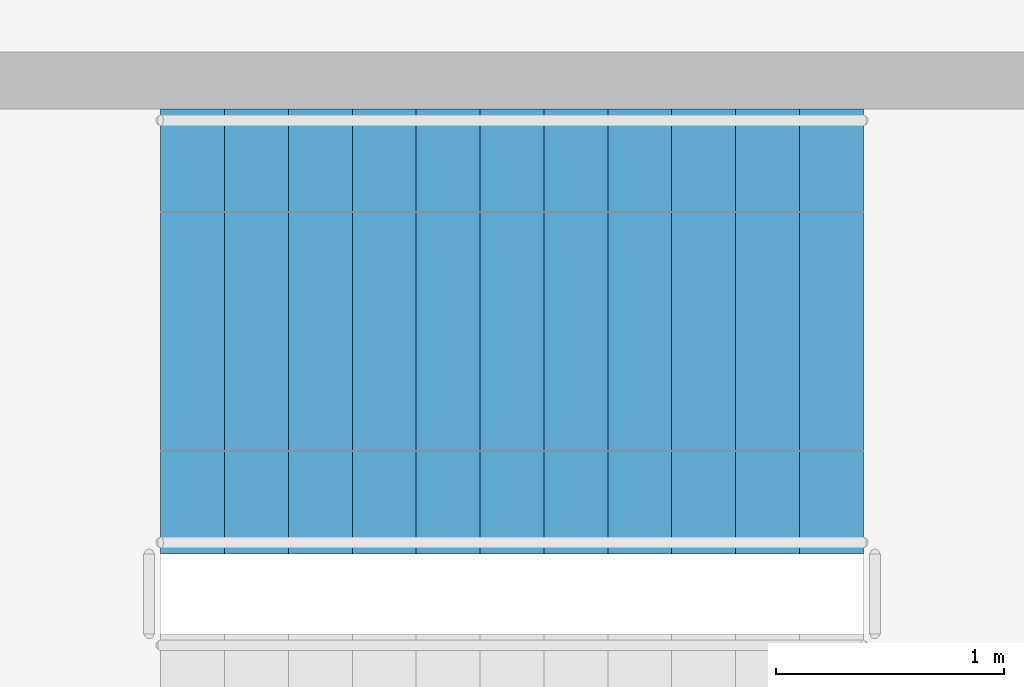
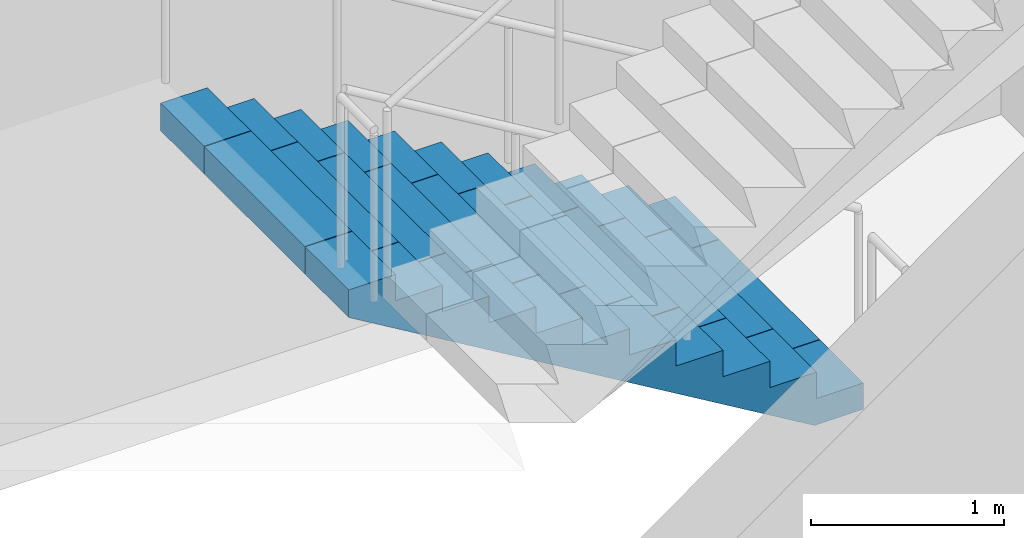
# One storey, part 13 of 15: 1 stair flight, 1 element without a shape of its own.
"""IFC4 building model written with IfcOpenShell, lengths in metres."""

import ifcopenshell
import ifcopenshell.guid

model = None  # the IFC model being written
_history = None  # IfcOwnerHistory: only IFC2X3 demands one
_inside = {}  # id of a spatial element -> (the spatial element, [elements in it])
_under = {}  # id of a project, library or spatial element -> (it, [spatial elements below it])
_declared = {}  # id of a project -> (the project, [libraries it declares])
_typed = {}  # id of a type object -> (the type object, [elements of that type])
_made_of = {}  # id of a material, layer set ... -> (it, [elements and type objects made of it])


def new_model(schema):
    """Start an empty IFC model of exactly this schema.

    Asked for "IFC4X3", IfcOpenShell would pick the latest addendum, in which some entities
    have other attributes; the version numbers below select the first issue.
    IFC2X3 requires an IfcOwnerHistory on every rooted entity: one is made here for all.
    """
    global model, _history
    if schema == "IFC4X3":
        model = ifcopenshell.file(schema_version=(4, 3, 0, 0))
    else:
        model = ifcopenshell.file(schema=schema)
    _inside.clear()
    _under.clear()
    _declared.clear()
    _typed.clear()
    _made_of.clear()
    _history = None
    if model.schema == "IFC2X3":
        org = make("IfcOrganization", Name="unknown")
        user = make(
            "IfcPersonAndOrganization",
            ThePerson=make("IfcPerson", FamilyName="unknown"),
            TheOrganization=org,
        )
        app = make(
            "IfcApplication",
            ApplicationDeveloper=org,
            Version="unknown",
            ApplicationFullName="unknown",
            ApplicationIdentifier="unknown",
        )
        _history = make(
            "IfcOwnerHistory",
            OwningUser=user,
            OwningApplication=app,
            ChangeAction="ADDED",
            CreationDate=0,
        )
    return model


def make(cls, **values):
    """One entity of the class cls with the attributes given. An attribute that is None is left unset."""
    return model.create_entity(
        cls, **{name: value for name, value in values.items() if value is not None}
    )


def rooted(cls, **values):
    """An entity with a GlobalId (a new one), such as an element, a storey or a relation."""
    return make(cls, GlobalId=ifcopenshell.guid.new(), OwnerHistory=_history, **values)


def si_unit(unit_type, name, prefix=None):
    """IfcSIUnit, for example si_unit("LENGTHUNIT", "METRE", prefix="MILLI")."""
    return make("IfcSIUnit", UnitType=unit_type, Prefix=prefix, Name=name)


def assignment(units):
    """IfcUnitAssignment: the units of a project."""
    return None if units is None else make("IfcUnitAssignment", Units=units)


def point(xyz):
    """IfcCartesianPoint."""
    return None if xyz is None else make("IfcCartesianPoint", Coordinates=xyz)


def direction(xyz):
    """IfcDirection."""
    return None if xyz is None else make("IfcDirection", DirectionRatios=xyz)


def frame(location, z_axis=None, x_axis=None):
    """IfcAxis2Placement3D, a coordinate frame: its origin and axes. An axis left out is left unset."""
    return make(
        "IfcAxis2Placement3D",
        Location=point(location),
        Axis=direction(z_axis),
        RefDirection=direction(x_axis),
    )


def origin():
    """The frame at (0, 0, 0) with its axes left unset."""
    return frame((0.0, 0.0, 0.0))


def place(relative_to, where):
    """IfcLocalPlacement: puts the frame where relative to a parent placement (None: the world)."""
    return make(
        "IfcLocalPlacement", PlacementRelTo=relative_to, RelativePlacement=where
    )


def context(
    kind, dimensions, precision=None, world=None, true_north=None, identifier=None
):
    """IfcGeometricRepresentationContext, for example the 3D "Model" context."""
    return make(
        "IfcGeometricRepresentationContext",
        ContextIdentifier=identifier,
        ContextType=kind,
        CoordinateSpaceDimension=dimensions,
        Precision=precision,
        WorldCoordinateSystem=world,
        TrueNorth=true_north,
    )


def subcontext(parent, identifier, kind, view, scale=None):
    """IfcGeometricRepresentationSubContext, for example "Body" below "Model"."""
    return make(
        "IfcGeometricRepresentationSubContext",
        ContextIdentifier=identifier,
        ContextType=kind,
        ParentContext=parent,
        TargetScale=scale,
        TargetView=view,
    )


def project(units=None, contexts=None):
    """IfcProject with its units and contexts."""
    return rooted(
        "IfcProject",
        Name="project",
        RepresentationContexts=contexts,
        UnitsInContext=assignment(units),
    )


def spatial(cls, under=None, at=None, **own):
    """A site, building, storey or space (cls), placed at a placement, below another one or the project."""
    s = rooted(cls, ObjectPlacement=at, **own)
    if under is not None:
        _under.setdefault(under.id(), (under, []))[1].append(s)
    return s


def polyline(points):
    """IfcPolyline through the points."""
    return make("IfcPolyline", Points=[point(p) for p in points])


def outline(outer, holes=None, kind="AREA"):
    """IfcArbitraryClosedProfileDef: a profile drawn as a closed curve; with holes, ...WithVoids."""
    if holes is None:
        return make("IfcArbitraryClosedProfileDef", ProfileType=kind, OuterCurve=outer)
    return make(
        "IfcArbitraryProfileDefWithVoids",
        ProfileType=kind,
        OuterCurve=outer,
        InnerCurves=holes,
    )


def extrude(swept, where, along, depth):
    """IfcExtrudedAreaSolid: the profile swept, set in the frame where, extruded along a direction by depth."""
    return make(
        "IfcExtrudedAreaSolid",
        SweptArea=swept,
        Position=where,
        ExtrudedDirection=direction(along),
        Depth=depth,
    )


def shape(context_of_items, identifier, shape_type, items):
    """IfcShapeRepresentation: the items that make up one representation, for example the "Body"."""
    return make(
        "IfcShapeRepresentation",
        ContextOfItems=context_of_items,
        RepresentationIdentifier=identifier,
        RepresentationType=shape_type,
        Items=items,
    )


def material(Name=None, Category=None):
    """IfcMaterial."""
    return make("IfcMaterial", Name=Name, Category=Category)


def made_of(thing, what):
    """Note that an element or type object is made of a material, layer set ...; save() writes the relation."""
    if what is not None:
        _made_of.setdefault(what.id(), (what, []))[1].append(thing)
    return thing


def type_object(cls, material=None, **own):
    """A type object (cls), such as IfcWallType, which elements share."""
    return made_of(rooted(cls, **own), material)


def element(
    cls,
    number,
    at=None,
    inside=None,
    cuts=None,
    type_object=None,
    material=None,
    context=None,
    identifier="Body",
    shape_type=None,
    held_by="IfcProductDefinitionShape",
    body=None,
    shapes=None,
    **own,
):
    """One element of the class cls, such as IfcWall. Its Tag is "e" and its number.

    at: its placement. inside: the storey or other place that contains it. cuts: it is an
    opening in that element (IfcRelVoidsElement). A single representation is given by context,
    identifier, shape_type and body (its items); several are given by shapes. held_by: the class
    of the entity that holds the representations. save() writes the other relations.
    """
    e = rooted(cls, Tag="e%d" % number, ObjectPlacement=at, **own)
    if body is not None:
        shapes = [shape(context, identifier, shape_type, body)]
    if shapes is not None:
        e.Representation = make(held_by, Representations=shapes)
    if inside is not None:
        _inside.setdefault(inside.id(), (inside, []))[1].append(e)
    if cuts is not None:
        rooted(
            "IfcRelVoidsElement", RelatingBuildingElement=cuts, RelatedOpeningElement=e
        )
    if type_object is not None:
        _typed.setdefault(type_object.id(), (type_object, []))[1].append(e)
    return made_of(e, material)


def aggregate(whole, parts):
    """IfcRelAggregates: a whole, such as a stair, and the parts it consists of."""
    return rooted("IfcRelAggregates", RelatingObject=whole, RelatedObjects=parts)


def save(model, path):
    """Write the relations noted so far, then the file.

    IfcRelAggregates (storeys below a building ...), IfcRelContainedInSpatialStructure (elements
    in a storey), IfcRelDefinesByType, IfcRelAssociatesMaterial and IfcRelDeclares: one each for
    every whole, place, type object, material and project.
    """
    for whole, parts in _under.values():
        aggregate(whole, parts)
    for where, things in _inside.values():
        rooted(
            "IfcRelContainedInSpatialStructure",
            RelatedElements=things,
            RelatingStructure=where,
        )
    for kind, things in _typed.values():
        rooted("IfcRelDefinesByType", RelatedObjects=things, RelatingType=kind)
    for what, things in _made_of.values():
        rooted("IfcRelAssociatesMaterial", RelatedObjects=things, RelatingMaterial=what)
    for by, libraries in _declared.values():
        rooted("IfcRelDeclares", RelatingContext=by, RelatedDefinitions=libraries)
    model.write(path)


model = new_model("IFC4")

# Units and contexts
model_context = context("Model", 3, precision=1e-05, world=origin(), true_north=direction((0.0, 1.0)))
body_context = subcontext(model_context, "Body", "Model", "MODEL_VIEW")
ifc_project = project(units=[si_unit("LENGTHUNIT", "METRE"), si_unit("AREAUNIT", "SQUARE_METRE"), si_unit("VOLUMEUNIT", "CUBIC_METRE"), si_unit("PLANEANGLEUNIT", "RADIAN"), si_unit("MASSUNIT", "GRAM", prefix="KILO")], contexts=[model_context])

# Site, building, storey
site_placement = place(None, origin())
site = spatial("IfcSite", under=ifc_project, at=site_placement, CompositionType="ELEMENT")
building_placement = place(site_placement, origin())
building = spatial("IfcBuilding", under=site, at=building_placement, Name="Corbelhall Arena Tower", CompositionType="ELEMENT")
storey_placement = place(building_placement, frame((0.0, 0.0, 232.0)))
storey = spatial("IfcBuildingStorey", under=building, at=storey_placement, Name="L49", CompositionType="ELEMENT", Elevation=232.0)

# Stair, stair flight
ifc_material = material(Name="Concrete C40/50", Category="concrete")
stair_type = type_object("IfcStairType", Name="IN-ST-TOWER", PredefinedType="HALF_TURN_STAIR", material=ifc_material)
stair_placement = place(storey_placement, origin())
stair = element("IfcStair", 1, at=stair_placement, inside=storey, type_object=stair_type, Name="L49 Exit stair ST3", PredefinedType="HALF_TURN_STAIR")
stair_flight_type = type_object("IfcStairFlightType", Name="IN-SFL-RC", PredefinedType="STRAIGHT", material=ifc_material)
stair_flight_placement = place(storey_placement, frame((11.425048828125, 15.699951171875, 0.0), z_axis=(0.0, 0.0, 1.0), x_axis=(-1.0, 0.0, 0.0)))
stair_flight = element("IfcStairFlight", 2, at=stair_flight_placement, type_object=stair_flight_type, Name="ST3 flight 1", NumberOfRisers=12, NumberOfTreads=11, PredefinedType="STRAIGHT", RiserHeight=0.166666667, TreadLength=0.28, context=body_context, shape_type="SweptSolid", body=[
    extrude(outline(polyline([(0.0, 0.0), (0.0, 0.166748046875), (0.280029296875, 0.166748046875), (0.280029296875, 0.333251953125), (0.56005859375, 0.333251953125), (0.56005859375, 0.5), (0.840087890625, 0.5), (0.840087890625, 0.666748046875), (1.1201171875, 0.666748046875), (1.1201171875, 0.833251953125), (1.39990234375, 0.833251953125), (1.39990234375, 1.0), (1.679931640625, 1.0), (1.679931640625, 1.166748046875), (1.9599609375, 1.166748046875), (1.9599609375, 1.333251953125), (2.239990234375, 1.333251953125), (2.239990234375, 1.5), (2.52001953125, 1.5), (2.52001953125, 1.666748046875), (2.800048828125, 1.666748046875), (2.800048828125, 1.833251953125), (3.080078125, 1.833251953125), (3.080078125, 2.0), (3.080078125, 1.658935546875), (0.29296875, 0.0), (0.0, 0.0)])), frame((0.0, 0.97509765625, 0.0), z_axis=(0.0, -1.0, 0.0), x_axis=(1.0, 0.0, 0.0)), (0.0, 0.0, 1.0), 0.449951171875),
    extrude(outline(polyline([(0.0, 0.0), (0.0, 0.166748046875), (0.280029296875, 0.166748046875), (0.280029296875, 0.333251953125), (0.56005859375, 0.333251953125), (0.56005859375, 0.5), (0.840087890625, 0.5), (0.840087890625, 0.666748046875), (1.1201171875, 0.666748046875), (1.1201171875, 0.833251953125), (1.39990234375, 0.833251953125), (1.39990234375, 1.0), (1.679931640625, 1.0), (1.679931640625, 1.166748046875), (1.9599609375, 1.166748046875), (1.9599609375, 1.333251953125), (2.239990234375, 1.333251953125), (2.239990234375, 1.5), (2.52001953125, 1.5), (2.52001953125, 1.666748046875), (2.800048828125, 1.666748046875), (2.800048828125, 1.833251953125), (3.080078125, 1.833251953125), (3.080078125, 2.0), (3.080078125, 1.658935546875), (0.29296875, 0.0), (0.0, 0.0)])), frame((0.0, 0.52099609375, 0.0), z_axis=(0.0, -1.0, 0.0), x_axis=(1.0, 0.0, 0.0)), (0.0, 0.0, 1.0), 1.0419921875),
    extrude(outline(polyline([(0.0, 0.0), (0.0, 0.166748046875), (0.280029296875, 0.166748046875), (0.280029296875, 0.333251953125), (0.56005859375, 0.333251953125), (0.56005859375, 0.5), (0.840087890625, 0.5), (0.840087890625, 0.666748046875), (1.1201171875, 0.666748046875), (1.1201171875, 0.833251953125), (1.39990234375, 0.833251953125), (1.39990234375, 1.0), (1.679931640625, 1.0), (1.679931640625, 1.166748046875), (1.9599609375, 1.166748046875), (1.9599609375, 1.333251953125), (2.239990234375, 1.333251953125), (2.239990234375, 1.5), (2.52001953125, 1.5), (2.52001953125, 1.666748046875), (2.800048828125, 1.666748046875), (2.800048828125, 1.833251953125), (3.080078125, 1.833251953125), (3.080078125, 2.0), (3.080078125, 1.658935546875), (0.29296875, 0.0), (0.0, 0.0)])), frame((0.0, -0.52490234375, 0.0), z_axis=(0.0, -1.0, 0.0), x_axis=(1.0, 0.0, 0.0)), (0.0, 0.0, 1.0), 0.449951171875),
])
aggregate(stair, [stair_flight])

save(model, "model.ifc")
